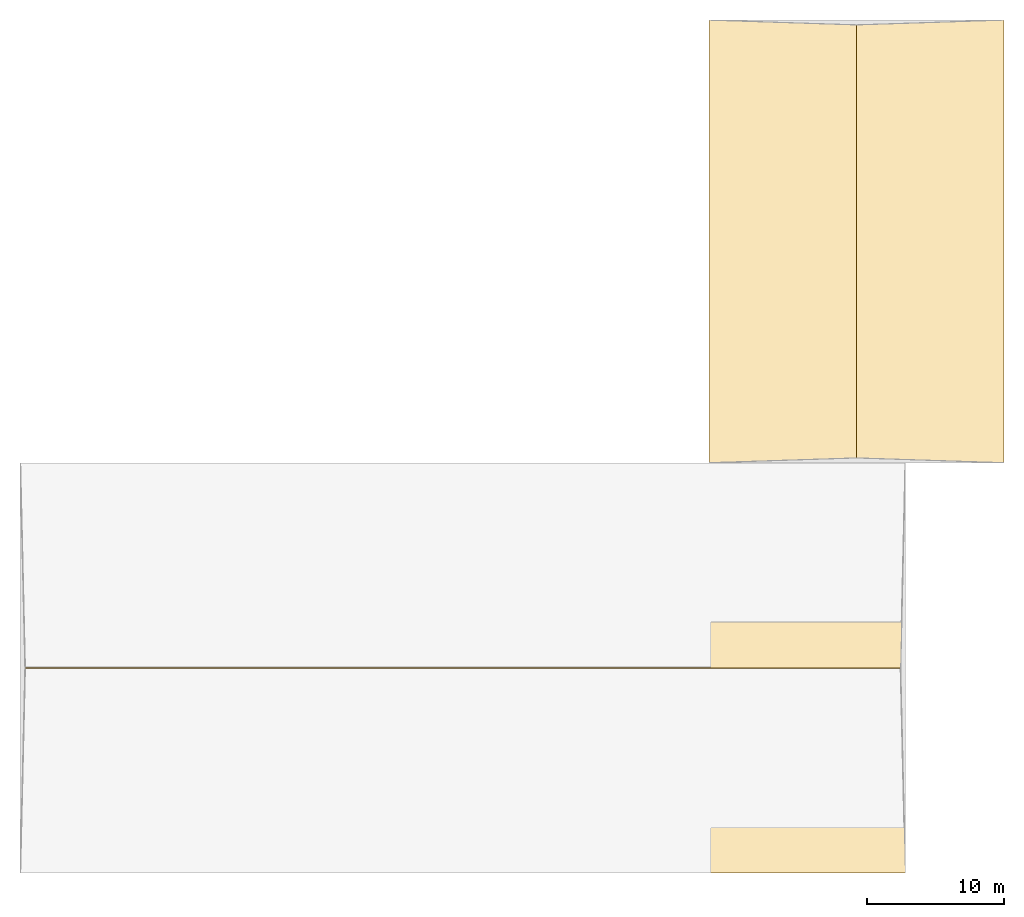
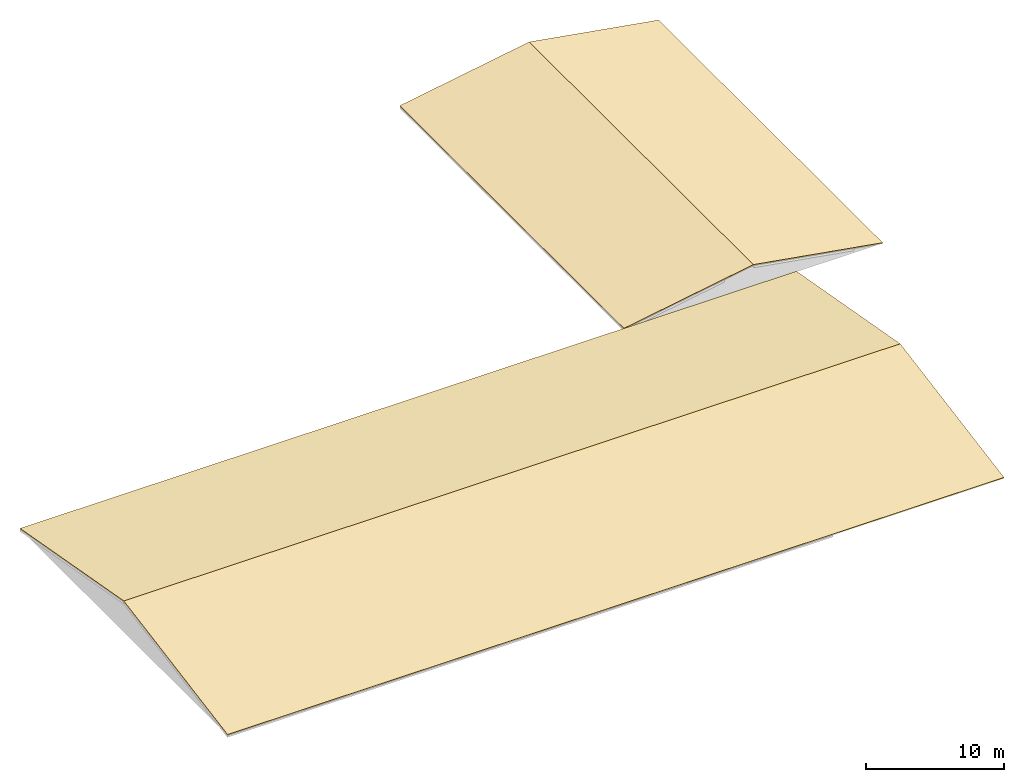
# One storey, part 2 of 2: 4 coverings.
"""IFC4 building model written with IfcOpenShell, lengths in metres."""

from ifc_helpers import new_model, si_unit, direction, frame, origin, place, context, subcontext, project, spatial, polyline, outline, extrude, material, layer, layer_set, type_object, element, save


model = new_model("IFC4")

# Units and contexts
model_context = context("Model", 3, precision=1e-05, world=origin(), true_north=direction((0.0, 1.0)))
body_context = subcontext(model_context, "Body", "Model", "MODEL_VIEW")
ifc_project = project(units=[si_unit("LENGTHUNIT", "METRE"), si_unit("AREAUNIT", "SQUARE_METRE"), si_unit("VOLUMEUNIT", "CUBIC_METRE"), si_unit("PLANEANGLEUNIT", "RADIAN"), si_unit("MASSUNIT", "GRAM", prefix="KILO")], contexts=[model_context])

# Site, building, storey
site_placement = place(None, origin())
site = spatial("IfcSite", under=ifc_project, at=site_placement, CompositionType="ELEMENT")
building_placement = place(site_placement, origin())
building = spatial("IfcBuilding", under=site, at=building_placement, Name="Solanera Park Tramway Depot", CompositionType="ELEMENT")
storey_placement = place(building_placement, frame((0.0, 0.0, 17.39990234375)))
storey = spatial("IfcBuildingStorey", under=building, at=storey_placement, Name="RF", CompositionType="ELEMENT", Elevation=17.39990234375)

# Coverings
ifc_material = material(Name="Mission terracotta clay barrel tile", Category="masonry")
ifc_layer = layer(ifc_material, 0.044921875)
ifc_layer_set = layer_set([ifc_layer], Name="Mission terracotta clay barrel tile")
covering_type = type_object("IfcCoveringType", Name="Terracotta Clay Barrel Tile Roofing 45", PredefinedType="ROOFING", material=ifc_layer_set)
for number, where, z_axis, x_axis, name in (
    (1, (115.199951171875, 2.39990234375, 0.284912109375), (0.0, -0.176839550325, 0.984239693083), (1.0, 0.0, 0.0), "Terracotta Barrel Tile Roof Covering V4-RF.1"),
    (2, (115.199951171875, 17.39990234375, 2.97998046875), (0.0, 0.176839550325, 0.984239693083), (1.0, 0.0, 0.0), "Terracotta Barrel Tile Roof Covering V4-RF.2"),
):
    element("IfcCovering", number, at=place(storey_placement, frame(where, z_axis=z_axis, x_axis=x_axis)), inside=storey, type_object=covering_type, Name=name, PredefinedType="ROOFING", context=body_context, shape_type="SweptSolid", body=[
        extrude(outline(polyline([(0.0, 0.0), (64.800048828125, 0.0), (64.800048828125, 15.240190073017603), (0.0, 15.240190073017603), (0.0, 0.0)])), origin(), (0.0, 0.0, -1.0), 0.044921875),
    ])
covering_1_placement = place(storey_placement, frame((165.60009765625, 32.39990234375, 0.28466796875), z_axis=(-0.168437462549, 0.0, 0.98571234202), x_axis=(0.98571234202, 0.0, 0.168437462549)))
element("IfcCovering", 3, at=covering_1_placement, inside=storey, type_object=covering_type, Name="Terracotta Barrel Tile Roof Covering V4E-RF.1", PredefinedType="ROOFING", context=body_context, shape_type="SweptSolid", body=[
    extrude(outline(polyline([(0.0, 0.0), (10.956345200437843, 0.0), (10.956345200437843, 32.400146484375), (0.0, 32.400146484375), (0.0, 0.0)])), origin(), (0.0, 0.0, -1.0), 0.044921875),
])
covering_2_placement = place(storey_placement, frame((176.39990234375, 32.39990234375, 2.130126953125), z_axis=(0.168433762957, 0.0, 0.985712974195), x_axis=(0.985712974195, 0.0, -0.168433762957)))
element("IfcCovering", 4, at=covering_2_placement, inside=storey, type_object=covering_type, Name="Terracotta Barrel Tile Roof Covering V4E-RF.2", PredefinedType="ROOFING", context=body_context, shape_type="SweptSolid", body=[
    extrude(outline(polyline([(0.0, 0.0), (10.956585852942265, 0.0), (10.956585852942265, 32.400146484375), (0.0, 32.400146484375), (0.0, 0.0)])), origin(), (0.0, 0.0, -1.0), 0.044921875),
])

save(model, "model.ifc")
